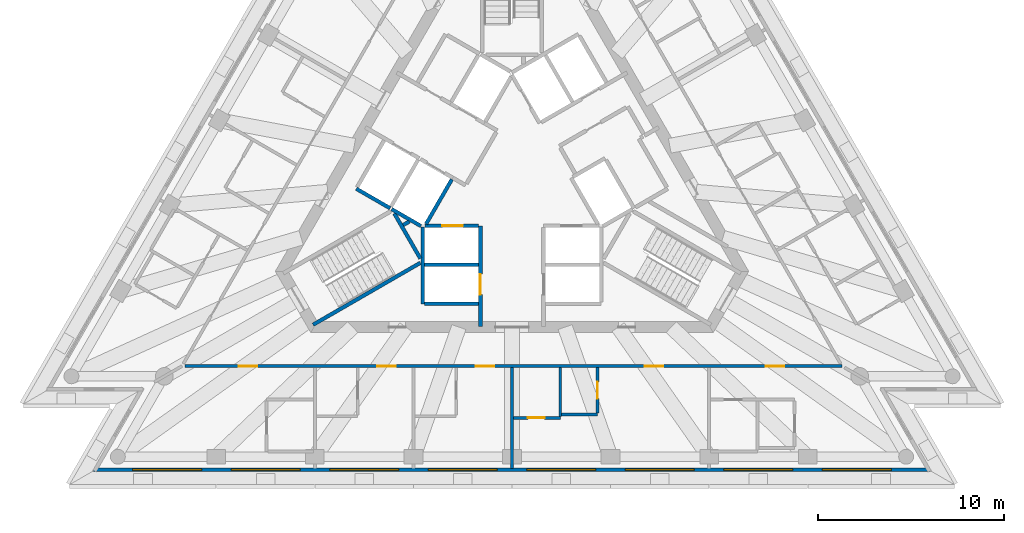
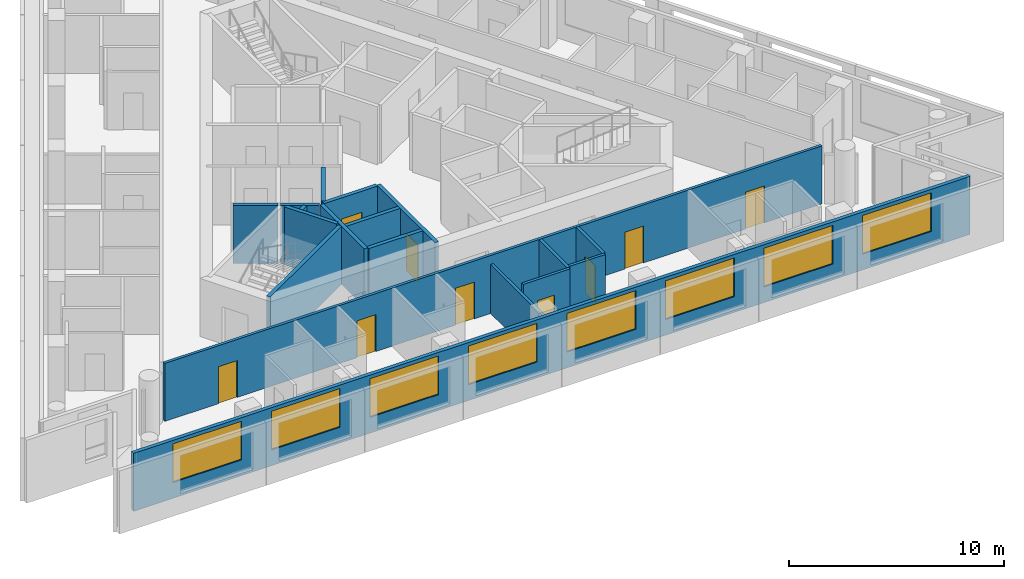
# One storey, part 3 of 11: 18 walls, 9 doors, 8 windows, 17 openings.
"""IFC4 building model written with IfcOpenShell, lengths in metres."""

from ifc_helpers import new_model, si_unit, direction, frame, frame_2d, origin, place, context, subcontext, project, spatial, rectangle, extrude, material, layer, layer_set, layer_usage, type_object, element, fill, save


model = new_model("IFC4")

# Units and contexts
model_context = context("Model", 3, precision=1e-05, world=origin(), true_north=direction((0.0, 1.0)))
body_context = subcontext(model_context, "Body", "Model", "MODEL_VIEW")
ifc_project = project(units=[si_unit("LENGTHUNIT", "METRE"), si_unit("AREAUNIT", "SQUARE_METRE"), si_unit("VOLUMEUNIT", "CUBIC_METRE"), si_unit("PLANEANGLEUNIT", "RADIAN"), si_unit("MASSUNIT", "GRAM", prefix="KILO")], contexts=[model_context])

# Site, building, storey
site_placement = place(None, origin())
site = spatial("IfcSite", under=ifc_project, at=site_placement, CompositionType="ELEMENT")
building_placement = place(site_placement, origin())
building = spatial("IfcBuilding", under=site, at=building_placement, Name="Triada Interchange Tower", CompositionType="ELEMENT")
storey_placement = place(building_placement, frame((0.0, 0.0, 307.89990234375)))
storey = spatial("IfcBuildingStorey", under=building, at=storey_placement, Name="L73", CompositionType="ELEMENT", Elevation=307.89990234375)

# Walls
ifc_material_1 = material(Name="Concrete C30/37", Category="concrete")
ifc_layer_1 = layer(ifc_material_1, 0.199951171875)
ifc_layer_set_1 = layer_set([ifc_layer_1], Name="CORE WALL 200 EI 120")
wall_type_1 = type_object("IfcWallType", Name="CORE WALL 200 EI 120", PredefinedType="SOLIDWALL", material=ifc_layer_set_1)
wall_1_placement = place(storey_placement, frame((-8.3759765625, -0.70703125, 0.0), z_axis=(0.0, 0.0, 1.0), x_axis=(0.866067520717, -0.499927044236, 0.0)))
element("IfcWall", 1, at=wall_1_placement, inside=storey, type_object=wall_type_1, Name="Wall L71 69", PredefinedType="SOLIDWALL", context=body_context, shape_type="SweptSolid", body=[
    extrude(rectangle(XDim=2.100341796875, YDim=0.199951171875, at=frame_2d((1.05029296875, 0.0))), origin(), (0.0, 0.0, 1.0), 3.300048828125),
])
wall_2_placement = place(storey_placement, frame((-4.699951171875, -4.800048828125, 0.0), z_axis=(0.0, 0.0, 1.0), x_axis=(1.0, 0.0, 0.0)))
element("IfcWall", 2, at=wall_2_placement, inside=storey, type_object=wall_type_1, Name="Wall L71 71", PredefinedType="SOLIDWALL", context=body_context, shape_type="SweptSolid", body=[
    extrude(rectangle(XDim=2.89990234375, YDim=0.199951171875, at=frame_2d((1.449951171875, 0.0))), origin(), (0.0, 0.0, 1.0), 3.300048828125),
])
wall_3_placement = place(storey_placement, frame((-4.800048828125, -6.89990234375, 0.0), z_axis=(0.0, 0.0, 1.0), x_axis=(0.0, 1.0, 0.0)))
element("IfcWall", 3, at=wall_3_placement, inside=storey, type_object=wall_type_1, Name="Wall L71 73", PredefinedType="SOLIDWALL", context=body_context, shape_type="SweptSolid", body=[
    extrude(rectangle(XDim=4.130859375, YDim=0.199951171875, at=frame_2d((2.0654296875, 0.0))), origin(), (0.0, 0.0, 1.0), 3.300048828125),
])
wall_4_placement = place(storey_placement, frame((-4.699951171875, -6.89990234375, 0.0), z_axis=(0.0, 0.0, 1.0), x_axis=(1.0, 0.0, 0.0)))
element("IfcWall", 4, at=wall_4_placement, inside=storey, type_object=wall_type_1, Name="Wall L71 74", PredefinedType="SOLIDWALL", context=body_context, shape_type="SweptSolid", body=[
    extrude(rectangle(XDim=2.89990234375, YDim=0.199951171875, at=frame_2d((1.449951171875, 0.0))), origin(), (0.0, 0.0, 1.0), 3.300048828125),
])

# Wall, opening, door
wall_5_placement = place(storey_placement, frame((-1.699951171875, -8.1298828125, 0.0), z_axis=(0.0, 0.0, 1.0), x_axis=(0.0, 1.0, 0.0)))
wall_5 = element("IfcWall", 5, at=wall_5_placement, inside=storey, type_object=wall_type_1, Name="Wall L71 76", PredefinedType="SOLIDWALL", context=body_context, shape_type="SweptSolid", body=[
    extrude(rectangle(XDim=5.427001953125, YDim=0.199951171875, at=frame_2d((2.71337890625, 0.0))), origin(), (0.0, 0.0, 1.0), 3.300048828125),
])
opening_1_placement = place(wall_5_placement, frame((1.72998046875, 0.0, 0.0)))
opening_1 = element("IfcOpeningElement", 6, at=opening_1_placement, cuts=wall_5, Name="Opening LD-HR4", PredefinedType="OPENING", context=body_context, shape_type="SweptSolid", body=[
    extrude(rectangle(XDim=1.10009765625, YDim=2.10009765625, at=frame_2d((0.550048828125, 1.050048828125))), frame((0.0, 0.10986328125, 0.0), z_axis=(0.0, -1.0, 0.0), x_axis=(1.0, 0.0, 0.0)), (0.0, 0.0, 1.0), 0.219970703125),
])
ifc_material_2 = material(Name="Steel S235 door leaf", Category="steel")
door_type_1 = type_object("IfcDoorType", Name="LIFT LANDING DOOR 1100 EI 120", OperationType="SLIDING_TO_LEFT", PredefinedType="DOOR", material=ifc_material_2)
door_1_placement = place(opening_1_placement, origin())
door_1 = element("IfcDoor", 7, at=door_1_placement, inside=storey, type_object=door_type_1, Name="HR4 landing door L73", OperationType="SLIDING_TO_LEFT", OverallHeight=2.10009765625, OverallWidth=1.10009765625, PredefinedType="DOOR", context=body_context, shape_type="SweptSolid", body=[
    extrude(rectangle(XDim=1.10009765625, YDim=2.10009765625, at=frame_2d((0.550048828125, 1.050048828125))), frame((0.0, 0.02490234375, 0.0), z_axis=(0.0, -1.0, 0.0), x_axis=(1.0, 0.0, 0.0)), (0.0, 0.0, 1.0), 0.050048828125),
])
fill(opening_1, door_1)

wall_6_placement = place(storey_placement, frame((-4.676025390625, -2.699951171875, 0.0), z_axis=(0.0, 0.0, 1.0), x_axis=(1.0, 0.0, 0.0)))
wall_6 = element("IfcWall", 8, at=wall_6_placement, inside=storey, type_object=wall_type_1, Name="Wall L71 77", PredefinedType="SOLIDWALL", context=body_context, shape_type="SweptSolid", body=[
    extrude(rectangle(XDim=2.873046875, YDim=0.199951171875, at=frame_2d((1.4365234375, 0.0))), origin(), (0.0, 0.0, 1.0), 3.300048828125),
])
opening_2_placement = place(wall_6_placement, frame((0.93701171875, 0.0, 0.0)))
opening_2 = element("IfcOpeningElement", 9, at=opening_2_placement, cuts=wall_6, Name="Opening LD-HR3", PredefinedType="OPENING", context=body_context, shape_type="SweptSolid", body=[
    extrude(rectangle(XDim=1.10009765625, YDim=2.10009765625, at=frame_2d((0.550048828125, 1.050048828125))), frame((0.0, 0.10986328125, 0.0), z_axis=(0.0, -1.0, 0.0), x_axis=(1.0, 0.0, 0.0)), (0.0, 0.0, 1.0), 0.219970703125),
])
door_2_placement = place(opening_2_placement, origin())
door_2 = element("IfcDoor", 10, at=door_2_placement, inside=storey, type_object=door_type_1, Name="HR3 landing door L73", OperationType="SLIDING_TO_LEFT", OverallHeight=2.10009765625, OverallWidth=1.10009765625, PredefinedType="DOOR", context=body_context, shape_type="SweptSolid", body=[
    extrude(rectangle(XDim=1.10009765625, YDim=2.10009765625, at=frame_2d((0.550048828125, 1.050048828125))), frame((0.0, 0.02490234375, 0.0), z_axis=(0.0, -1.0, 0.0), x_axis=(1.0, 0.0, 0.0)), (0.0, 0.0, 1.0), 0.050048828125),
])
fill(opening_2, door_2)

# Walls
ifc_layer_2 = layer(ifc_material_1, 0.199951171875)
ifc_layer_set_2 = layer_set([ifc_layer_2], Name="CORE WALL 200 EI 180")
wall_type_2 = type_object("IfcWallType", Name="CORE WALL 200 EI 180", PredefinedType="SOLIDWALL", material=ifc_layer_set_2)
wall_7_placement = place(storey_placement, frame((-6.469970703125, -1.806884765625, 0.0), z_axis=(0.0, 0.0, 1.0), x_axis=(0.865883195159, -0.500246231712, 0.0)))
element("IfcWall", 11, at=wall_7_placement, inside=storey, type_object=wall_type_2, Name="Shaft wall FF1 L71 102", PredefinedType="SOLIDWALL", context=body_context, shape_type="SweptSolid", body=[
    extrude(rectangle(XDim=1.8154296875, YDim=0.199951171875, at=frame_2d((0.90771484375, 0.0))), origin(), (0.0, 0.0, 1.0), 3.300048828125),
])
wall_8_placement = place(storey_placement, frame((-4.618896484375, -2.60009765625, 0.0), z_axis=(0.0, 0.0, 1.0), x_axis=(0.50009492287, 0.865970593103, 0.0)))
element("IfcWall", 12, at=wall_8_placement, inside=storey, type_object=wall_type_2, Name="Shaft wall FF1 L71 104", PredefinedType="SOLIDWALL", context=body_context, shape_type="SweptSolid", body=[
    extrude(rectangle(XDim=2.76123046875, YDim=0.199951171875, at=frame_2d((1.380615234375, 0.0))), origin(), (0.0, 0.0, 1.0), 3.300048828125),
])
ifc_layer_3 = layer(ifc_material_1, 0.199951171875)
ifc_layer_set_3 = layer_set([ifc_layer_3], Name="CORE WALL 200 EI 90")
wall_type_3 = type_object("IfcWallType", Name="CORE WALL 200 EI 90", PredefinedType="SOLIDWALL", material=ifc_layer_set_3)
wall_9_placement = place(storey_placement, frame((-5.85302734375, -2.662109375, 0.0), z_axis=(0.0, 0.0, 1.0), x_axis=(0.866630806644, 0.498949942355, 0.0)))
element("IfcWall", 13, at=wall_9_placement, inside=storey, type_object=wall_type_3, Name="Wall L71 109", PredefinedType="SOLIDWALL", context=body_context, shape_type="SweptSolid", body=[
    extrude(rectangle(XDim=0.383056640625, YDim=0.199951171875, at=frame_2d((0.19140625, 0.0))), origin(), (0.0, 0.0, 1.0), 3.300048828125),
])
ifc_layer_4 = layer(ifc_material_1, 0.199951171875)
ifc_layer_set_4 = layer_set([ifc_layer_4], Name="CORE WALL 200 REI 240")
wall_type_4 = type_object("IfcWallType", Name="CORE WALL 200 REI 240", PredefinedType="SOLIDWALL", material=ifc_layer_set_4)
wall_10_placement = place(storey_placement, frame((-6.3291015625, -2.0380859375, 0.0), z_axis=(0.0, 0.0, 1.0), x_axis=(0.500200581029, -0.865909567298, 0.0)))
element("IfcWall", 14, at=wall_10_placement, inside=storey, type_object=wall_type_4, Name="Wall L71 116", PredefinedType="SOLIDWALL", context=body_context, shape_type="SweptSolid", body=[
    extrude(rectangle(XDim=2.799072265625, YDim=0.199951171875, at=frame_2d((1.3994140625, 0.0))), origin(), (0.0, 0.0, 1.0), 3.300048828125),
])
wall_11_placement = place(storey_placement, frame((-10.700927734375, -8.02587890625, 0.0), z_axis=(0.0, 0.0, 1.0), x_axis=(0.866005022404, 0.500035299925, 0.0)))
element("IfcWall", 15, at=wall_11_placement, inside=storey, type_object=wall_type_4, Name="Wall L71 117", PredefinedType="SOLIDWALL", context=body_context, shape_type="SweptSolid", body=[
    extrude(rectangle(XDim=6.6650390625, YDim=0.199951171875, at=frame_2d((3.33251953125, 0.0))), origin(), (0.0, 0.0, 1.0), 3.300048828125),
])

# Wall, openings, windows
ifc_material_3 = material(Name="Cement board")
ifc_layer_5 = layer(ifc_material_3, 0.02001953125, Name="Cement board cladding")
ifc_material_4 = material(Name="Sheathing board")
ifc_layer_6 = layer(ifc_material_4, 0.014892578125, Name="Sheathing board")
ifc_material_5 = material(Name="Mineral wool")
ifc_layer_7 = layer(ifc_material_5, 0.14990234375, Name="Mineral wool between steel studs")
ifc_material_6 = material(Name="Gypsum board")
ifc_layer_8 = layer(ifc_material_6, 0.014892578125, Name="Plasterboard lining")
ifc_layer_set_5 = layer_set([ifc_layer_5, ifc_layer_6, ifc_layer_7, ifc_layer_8], Name="External wall 200")
ifc_layer_usage = layer_usage(ifc_layer_set_5, "AXIS2", "POSITIVE", -0.10009765625)
wall_type_5 = type_object("IfcWallType", Name="External wall 200", PredefinedType="ELEMENTEDWALL", material=ifc_layer_set_5)
wall_12_placement = place(storey_placement, frame((-22.507080078125, -15.826904296875, 0.0), z_axis=(0.0, 0.0, 1.0), x_axis=(1.0, 0.0, 0.0)))
wall_12 = element("IfcWall", 16, at=wall_12_placement, inside=storey, type_object=wall_type_5, material=ifc_layer_usage, Name="External wall L73 S", PredefinedType="ELEMENTEDWALL", context=body_context, shape_type="SweptSolid", body=[
    extrude(rectangle(XDim=44.994140625, YDim=0.199951171875, at=frame_2d((22.4970703125, 0.0))), origin(), (0.0, 0.0, 1.0), 3.300048828125),
])
opening_3_placement = place(wall_12_placement, frame((2.10400390625, 0.0, 0.89990234375)))
opening_3 = element("IfcOpeningElement", 17, at=opening_3_placement, cuts=wall_12, Name="Opening WD11", PredefinedType="OPENING", context=body_context, shape_type="SweptSolid", body=[
    extrude(rectangle(XDim=3.699951171875, YDim=2.199951171875, at=frame_2d((1.85009765625, 1.10009765625))), frame((0.0, 0.10986328125, 0.0), z_axis=(0.0, -1.0, 0.0), x_axis=(1.0, 0.0, 0.0)), (0.0, 0.0, 1.0), 0.219970703125),
])
opening_4_placement = place(wall_12_placement, frame((7.405029296875, 0.0, 0.89990234375)))
opening_4 = element("IfcOpeningElement", 18, at=opening_4_placement, cuts=wall_12, Name="Opening WD12", PredefinedType="OPENING", context=body_context, shape_type="SweptSolid", body=[
    extrude(rectangle(XDim=3.699951171875, YDim=2.199951171875, at=frame_2d((1.85009765625, 1.10009765625))), frame((0.0, 0.10986328125, 0.0), z_axis=(0.0, -1.0, 0.0), x_axis=(1.0, 0.0, 0.0)), (0.0, 0.0, 1.0), 0.219970703125),
])
opening_5_placement = place(wall_12_placement, frame((12.7060546875, 0.0, 0.89990234375)))
opening_5 = element("IfcOpeningElement", 19, at=opening_5_placement, cuts=wall_12, Name="Opening WD13", PredefinedType="OPENING", context=body_context, shape_type="SweptSolid", body=[
    extrude(rectangle(XDim=3.699951171875, YDim=2.199951171875, at=frame_2d((1.85009765625, 1.10009765625))), frame((0.0, 0.10986328125, 0.0), z_axis=(0.0, -1.0, 0.0), x_axis=(1.0, 0.0, 0.0)), (0.0, 0.0, 1.0), 0.219970703125),
])
opening_6_placement = place(wall_12_placement, frame((18.006103515625, 0.0, 0.89990234375)))
opening_6 = element("IfcOpeningElement", 20, at=opening_6_placement, cuts=wall_12, Name="Opening WD14", PredefinedType="OPENING", context=body_context, shape_type="SweptSolid", body=[
    extrude(rectangle(XDim=3.699951171875, YDim=2.199951171875, at=frame_2d((1.85009765625, 1.10009765625))), frame((0.0, 0.10986328125, 0.0), z_axis=(0.0, -1.0, 0.0), x_axis=(1.0, 0.0, 0.0)), (0.0, 0.0, 1.0), 0.219970703125),
])
opening_7_placement = place(wall_12_placement, frame((23.30810546875, 0.0, 0.89990234375)))
opening_7 = element("IfcOpeningElement", 21, at=opening_7_placement, cuts=wall_12, Name="Opening WD15", PredefinedType="OPENING", context=body_context, shape_type="SweptSolid", body=[
    extrude(rectangle(XDim=3.699951171875, YDim=2.199951171875, at=frame_2d((1.85009765625, 1.10009765625))), frame((0.0, 0.10986328125, 0.0), z_axis=(0.0, -1.0, 0.0), x_axis=(1.0, 0.0, 0.0)), (0.0, 0.0, 1.0), 0.219970703125),
])
opening_8_placement = place(wall_12_placement, frame((28.60791015625, 0.0, 0.89990234375)))
opening_8 = element("IfcOpeningElement", 22, at=opening_8_placement, cuts=wall_12, Name="Opening WD16", PredefinedType="OPENING", context=body_context, shape_type="SweptSolid", body=[
    extrude(rectangle(XDim=3.699951171875, YDim=2.199951171875, at=frame_2d((1.85009765625, 1.10009765625))), frame((0.0, 0.10986328125, 0.0), z_axis=(0.0, -1.0, 0.0), x_axis=(1.0, 0.0, 0.0)), (0.0, 0.0, 1.0), 0.219970703125),
])
opening_9_placement = place(wall_12_placement, frame((33.909912109375, 0.0, 0.89990234375)))
opening_9 = element("IfcOpeningElement", 23, at=opening_9_placement, cuts=wall_12, Name="Opening WD17", PredefinedType="OPENING", context=body_context, shape_type="SweptSolid", body=[
    extrude(rectangle(XDim=3.699951171875, YDim=2.199951171875, at=frame_2d((1.85009765625, 1.10009765625))), frame((0.0, 0.10986328125, 0.0), z_axis=(0.0, -1.0, 0.0), x_axis=(1.0, 0.0, 0.0)), (0.0, 0.0, 1.0), 0.219970703125),
])
opening_10_placement = place(wall_12_placement, frame((39.2099609375, 0.0, 0.89990234375)))
opening_10 = element("IfcOpeningElement", 24, at=opening_10_placement, cuts=wall_12, Name="Opening WD18", PredefinedType="OPENING", context=body_context, shape_type="SweptSolid", body=[
    extrude(rectangle(XDim=3.699951171875, YDim=2.199951171875, at=frame_2d((1.85009765625, 1.10009765625))), frame((0.0, 0.10986328125, 0.0), z_axis=(0.0, -1.0, 0.0), x_axis=(1.0, 0.0, 0.0)), (0.0, 0.0, 1.0), 0.219970703125),
])
ifc_material_7 = material(Name="Double glazed aluminium window", Category="aluminium")
window_type = type_object("IfcWindowType", Name="Ribbon window D face", PartitioningType="SINGLE_PANEL", PredefinedType="WINDOW", material=ifc_material_7)
window_1_placement = place(opening_3_placement, origin())
window_1 = element("IfcWindow", 25, at=window_1_placement, inside=storey, type_object=window_type, Name="Window L73 S 1", OverallHeight=2.199951171875, OverallWidth=3.699951171875, PartitioningType="SINGLE_PANEL", PredefinedType="WINDOW", context=body_context, shape_type="SweptSolid", body=[
    extrude(rectangle(XDim=3.699951171875, YDim=2.199951171875, at=frame_2d((1.85009765625, 1.10009765625))), frame((0.0, 0.030029296875, 0.0), z_axis=(0.0, -1.0, 0.0), x_axis=(1.0, 0.0, 0.0)), (0.0, 0.0, 1.0), 0.06005859375),
])
fill(opening_3, window_1)
window_2_placement = place(opening_4_placement, origin())
window_2 = element("IfcWindow", 26, at=window_2_placement, inside=storey, type_object=window_type, Name="Window L73 S 2", OverallHeight=2.199951171875, OverallWidth=3.699951171875, PartitioningType="SINGLE_PANEL", PredefinedType="WINDOW", context=body_context, shape_type="SweptSolid", body=[
    extrude(rectangle(XDim=3.699951171875, YDim=2.199951171875, at=frame_2d((1.85009765625, 1.10009765625))), frame((0.0, 0.030029296875, 0.0), z_axis=(0.0, -1.0, 0.0), x_axis=(1.0, 0.0, 0.0)), (0.0, 0.0, 1.0), 0.06005859375),
])
fill(opening_4, window_2)
window_3_placement = place(opening_5_placement, origin())
window_3 = element("IfcWindow", 27, at=window_3_placement, inside=storey, type_object=window_type, Name="Window L73 S 3", OverallHeight=2.199951171875, OverallWidth=3.699951171875, PartitioningType="SINGLE_PANEL", PredefinedType="WINDOW", context=body_context, shape_type="SweptSolid", body=[
    extrude(rectangle(XDim=3.699951171875, YDim=2.199951171875, at=frame_2d((1.85009765625, 1.10009765625))), frame((0.0, 0.030029296875, 0.0), z_axis=(0.0, -1.0, 0.0), x_axis=(1.0, 0.0, 0.0)), (0.0, 0.0, 1.0), 0.06005859375),
])
fill(opening_5, window_3)
window_4_placement = place(opening_6_placement, origin())
window_4 = element("IfcWindow", 28, at=window_4_placement, inside=storey, type_object=window_type, Name="Window L73 S 4", OverallHeight=2.199951171875, OverallWidth=3.699951171875, PartitioningType="SINGLE_PANEL", PredefinedType="WINDOW", context=body_context, shape_type="SweptSolid", body=[
    extrude(rectangle(XDim=3.699951171875, YDim=2.199951171875, at=frame_2d((1.85009765625, 1.10009765625))), frame((0.0, 0.030029296875, 0.0), z_axis=(0.0, -1.0, 0.0), x_axis=(1.0, 0.0, 0.0)), (0.0, 0.0, 1.0), 0.06005859375),
])
fill(opening_6, window_4)
window_5_placement = place(opening_7_placement, origin())
window_5 = element("IfcWindow", 29, at=window_5_placement, inside=storey, type_object=window_type, Name="Window L73 S 5", OverallHeight=2.199951171875, OverallWidth=3.699951171875, PartitioningType="SINGLE_PANEL", PredefinedType="WINDOW", context=body_context, shape_type="SweptSolid", body=[
    extrude(rectangle(XDim=3.699951171875, YDim=2.199951171875, at=frame_2d((1.85009765625, 1.10009765625))), frame((0.0, 0.030029296875, 0.0), z_axis=(0.0, -1.0, 0.0), x_axis=(1.0, 0.0, 0.0)), (0.0, 0.0, 1.0), 0.06005859375),
])
fill(opening_7, window_5)
window_6_placement = place(opening_8_placement, origin())
window_6 = element("IfcWindow", 30, at=window_6_placement, inside=storey, type_object=window_type, Name="Window L73 S 6", OverallHeight=2.199951171875, OverallWidth=3.699951171875, PartitioningType="SINGLE_PANEL", PredefinedType="WINDOW", context=body_context, shape_type="SweptSolid", body=[
    extrude(rectangle(XDim=3.699951171875, YDim=2.199951171875, at=frame_2d((1.85009765625, 1.10009765625))), frame((0.0, 0.030029296875, 0.0), z_axis=(0.0, -1.0, 0.0), x_axis=(1.0, 0.0, 0.0)), (0.0, 0.0, 1.0), 0.06005859375),
])
fill(opening_8, window_6)
window_7_placement = place(opening_9_placement, origin())
window_7 = element("IfcWindow", 31, at=window_7_placement, inside=storey, type_object=window_type, Name="Window L73 S 7", OverallHeight=2.199951171875, OverallWidth=3.699951171875, PartitioningType="SINGLE_PANEL", PredefinedType="WINDOW", context=body_context, shape_type="SweptSolid", body=[
    extrude(rectangle(XDim=3.699951171875, YDim=2.199951171875, at=frame_2d((1.85009765625, 1.10009765625))), frame((0.0, 0.030029296875, 0.0), z_axis=(0.0, -1.0, 0.0), x_axis=(1.0, 0.0, 0.0)), (0.0, 0.0, 1.0), 0.06005859375),
])
fill(opening_9, window_7)
window_8_placement = place(opening_10_placement, origin())
window_8 = element("IfcWindow", 32, at=window_8_placement, inside=storey, type_object=window_type, Name="Window L73 S 8", OverallHeight=2.199951171875, OverallWidth=3.699951171875, PartitioningType="SINGLE_PANEL", PredefinedType="WINDOW", context=body_context, shape_type="SweptSolid", body=[
    extrude(rectangle(XDim=3.699951171875, YDim=2.199951171875, at=frame_2d((1.85009765625, 1.10009765625))), frame((0.0, 0.030029296875, 0.0), z_axis=(0.0, -1.0, 0.0), x_axis=(1.0, 0.0, 0.0)), (0.0, 0.0, 1.0), 0.06005859375),
])
fill(opening_10, window_8)

# Wall, openings, doors
ifc_material_8 = material(Name="Gypsum board partition")
ifc_layer_9 = layer(ifc_material_8, 0.14990234375)
ifc_layer_set_6 = layer_set([ifc_layer_9], Name="PARTITION 150 EI 180")
wall_type_6 = type_object("IfcWallType", Name="PARTITION 150 EI 180", PredefinedType="PARTITIONING", material=ifc_layer_set_6)
wall_13_placement = place(storey_placement, frame((-17.60302734375, -10.25, 0.0), z_axis=(0.0, 0.0, 1.0), x_axis=(1.0, 0.0, 0.0)))
wall_13 = element("IfcWall", 33, at=wall_13_placement, inside=storey, type_object=wall_type_6, Name="Wall L71 4", PredefinedType="PARTITIONING", context=body_context, shape_type="SweptSolid", body=[
    extrude(rectangle(XDim=35.35595703125, YDim=0.14990234375, at=frame_2d((17.677978515625, 0.0))), origin(), (0.0, 0.0, 1.0), 3.300048828125),
])
opening_11_placement = place(wall_13_placement, frame((2.89990234375, 0.0, 0.0)))
opening_11 = element("IfcOpeningElement", 34, at=opening_11_placement, cuts=wall_13, Name="Opening D71-11", PredefinedType="OPENING", context=body_context, shape_type="SweptSolid", body=[
    extrude(rectangle(XDim=1.0, YDim=2.10009765625, at=frame_2d((0.5, 1.050048828125))), frame((0.0, 0.0849609375, 0.0), z_axis=(0.0, -1.0, 0.0), x_axis=(1.0, 0.0, 0.0)), (0.0, 0.0, 1.0), 0.169921875),
])
opening_12_placement = place(wall_13_placement, frame((10.35107421875, 0.0, 0.0)))
opening_12 = element("IfcOpeningElement", 35, at=opening_12_placement, cuts=wall_13, Name="Opening D71-13", PredefinedType="OPENING", context=body_context, shape_type="SweptSolid", body=[
    extrude(rectangle(XDim=1.0, YDim=2.10009765625, at=frame_2d((0.5, 1.050048828125))), frame((0.0, 0.0849609375, 0.0), z_axis=(0.0, -1.0, 0.0), x_axis=(1.0, 0.0, 0.0)), (0.0, 0.0, 1.0), 0.169921875),
])
opening_13_placement = place(wall_13_placement, frame((15.652099609375, 0.0, 0.0)))
opening_13 = element("IfcOpeningElement", 36, at=opening_13_placement, cuts=wall_13, Name="Opening D71-15", PredefinedType="OPENING", context=body_context, shape_type="SweptSolid", body=[
    extrude(rectangle(XDim=1.0, YDim=2.10009765625, at=frame_2d((0.5, 1.050048828125))), frame((0.0, 0.0849609375, 0.0), z_axis=(0.0, -1.0, 0.0), x_axis=(1.0, 0.0, 0.0)), (0.0, 0.0, 1.0), 0.169921875),
])
opening_14_placement = place(wall_13_placement, frame((24.7529296875, 0.0, 0.0)))
opening_14 = element("IfcOpeningElement", 37, at=opening_14_placement, cuts=wall_13, Name="Opening D71-17", PredefinedType="OPENING", context=body_context, shape_type="SweptSolid", body=[
    extrude(rectangle(XDim=1.0, YDim=2.10009765625, at=frame_2d((0.5, 1.050048828125))), frame((0.0, 0.0849609375, 0.0), z_axis=(0.0, -1.0, 0.0), x_axis=(1.0, 0.0, 0.0)), (0.0, 0.0, 1.0), 0.169921875),
])
opening_15_placement = place(wall_13_placement, frame((31.2548828125, 0.0, 0.0)))
opening_15 = element("IfcOpeningElement", 38, at=opening_15_placement, cuts=wall_13, Name="Opening D71-20", PredefinedType="OPENING", context=body_context, shape_type="SweptSolid", body=[
    extrude(rectangle(XDim=1.0, YDim=2.10009765625, at=frame_2d((0.5, 1.050048828125))), frame((0.0, 0.0849609375, 0.0), z_axis=(0.0, -1.0, 0.0), x_axis=(1.0, 0.0, 0.0)), (0.0, 0.0, 1.0), 0.169921875),
])
door_type_2 = type_object("IfcDoorType", Name="GUEST ROOM DOOR 1000 EI2 90-C5S200", OperationType="NOTDEFINED", PredefinedType="DOOR", material=ifc_material_2)
door_3_placement = place(opening_11_placement, origin())
door_3 = element("IfcDoor", 39, at=door_3_placement, inside=storey, type_object=door_type_2, Name="Door D71-11 L73", OperationType="SINGLE_SWING_RIGHT", OverallHeight=2.10009765625, OverallWidth=1.0, PredefinedType="DOOR", context=body_context, shape_type="SweptSolid", body=[
    extrude(rectangle(XDim=1.0, YDim=2.10009765625, at=frame_2d((0.5, 1.050048828125))), frame((0.0, 0.02490234375, 0.0), z_axis=(0.0, -1.0, 0.0), x_axis=(1.0, 0.0, 0.0)), (0.0, 0.0, 1.0), 0.050048828125),
])
fill(opening_11, door_3)
door_4_placement = place(opening_12_placement, origin())
door_4 = element("IfcDoor", 40, at=door_4_placement, inside=storey, type_object=door_type_2, Name="Door D71-13 L73", OperationType="SINGLE_SWING_RIGHT", OverallHeight=2.10009765625, OverallWidth=1.0, PredefinedType="DOOR", context=body_context, shape_type="SweptSolid", body=[
    extrude(rectangle(XDim=1.0, YDim=2.10009765625, at=frame_2d((0.5, 1.050048828125))), frame((0.0, 0.02490234375, 0.0), z_axis=(0.0, -1.0, 0.0), x_axis=(1.0, 0.0, 0.0)), (0.0, 0.0, 1.0), 0.050048828125),
])
fill(opening_12, door_4)
door_5_placement = place(opening_13_placement, origin())
door_5 = element("IfcDoor", 41, at=door_5_placement, inside=storey, type_object=door_type_2, Name="Door D71-15 L73", OperationType="SINGLE_SWING_RIGHT", OverallHeight=2.10009765625, OverallWidth=1.0, PredefinedType="DOOR", context=body_context, shape_type="SweptSolid", body=[
    extrude(rectangle(XDim=1.0, YDim=2.10009765625, at=frame_2d((0.5, 1.050048828125))), frame((0.0, 0.02490234375, 0.0), z_axis=(0.0, -1.0, 0.0), x_axis=(1.0, 0.0, 0.0)), (0.0, 0.0, 1.0), 0.050048828125),
])
fill(opening_13, door_5)
door_6_placement = place(opening_14_placement, origin())
door_6 = element("IfcDoor", 42, at=door_6_placement, inside=storey, type_object=door_type_2, Name="Door D71-17 L73", OperationType="SINGLE_SWING_RIGHT", OverallHeight=2.10009765625, OverallWidth=1.0, PredefinedType="DOOR", context=body_context, shape_type="SweptSolid", body=[
    extrude(rectangle(XDim=1.0, YDim=2.10009765625, at=frame_2d((0.5, 1.050048828125))), frame((0.0, 0.02490234375, 0.0), z_axis=(0.0, -1.0, 0.0), x_axis=(1.0, 0.0, 0.0)), (0.0, 0.0, 1.0), 0.050048828125),
])
fill(opening_14, door_6)
door_7_placement = place(opening_15_placement, origin())
door_7 = element("IfcDoor", 43, at=door_7_placement, inside=storey, type_object=door_type_2, Name="Door D71-20 L73", OperationType="SINGLE_SWING_LEFT", OverallHeight=2.10009765625, OverallWidth=1.0, PredefinedType="DOOR", context=body_context, shape_type="SweptSolid", body=[
    extrude(rectangle(XDim=1.0, YDim=2.10009765625, at=frame_2d((0.5, 1.050048828125))), frame((0.0, 0.02490234375, 0.0), z_axis=(0.0, -1.0, 0.0), x_axis=(1.0, 0.0, 0.0)), (0.0, 0.0, 1.0), 0.050048828125),
])
fill(opening_15, door_7)

# Wall
wall_14_placement = place(storey_placement, frame((0.0, -15.7470703125, 0.0), z_axis=(0.0, 0.0, 1.0), x_axis=(0.0, 1.0, 0.0)))
element("IfcWall", 44, at=wall_14_placement, inside=storey, type_object=wall_type_6, Name="Wall L71 12", PredefinedType="PARTITIONING", context=body_context, shape_type="SweptSolid", body=[
    extrude(rectangle(XDim=5.422119140625, YDim=0.14990234375, at=frame_2d((2.7109375, 0.0))), origin(), (0.0, 0.0, 1.0), 2.800048828125),
])

# Wall, opening, door
ifc_layer_10 = layer(ifc_material_8, 0.14990234375)
ifc_layer_set_7 = layer_set([ifc_layer_10], Name="PARTITION 150 EI 90")
wall_type_7 = type_object("IfcWallType", Name="PARTITION 150 EI 90", PredefinedType="PARTITIONING", material=ifc_layer_set_7)
wall_15_placement = place(storey_placement, frame((0.074951171875, -13.0380859375, 0.0), z_axis=(0.0, 0.0, 1.0), x_axis=(1.0, 0.0, 0.0)))
wall_15 = element("IfcWall", 45, at=wall_15_placement, inside=storey, type_object=wall_type_7, Name="Wall L71 53", PredefinedType="PARTITIONING", context=body_context, shape_type="SweptSolid", body=[
    extrude(rectangle(XDim=2.525146484375, YDim=0.14990234375, at=frame_2d((1.2626953125, 0.0))), origin(), (0.0, 0.0, 1.0), 3.300048828125),
])
opening_16_placement = place(wall_15_placement, frame((0.77490234375, 0.0, 0.0)))
opening_16 = element("IfcOpeningElement", 46, at=opening_16_placement, cuts=wall_15, Name="Opening D71-18", PredefinedType="OPENING", context=body_context, shape_type="SweptSolid", body=[
    extrude(rectangle(XDim=0.89990234375, YDim=2.10009765625, at=frame_2d((0.449951171875, 1.050048828125))), frame((0.0, 0.0849609375, 0.0), z_axis=(0.0, -1.0, 0.0), x_axis=(1.0, 0.0, 0.0)), (0.0, 0.0, 1.0), 0.169921875),
])
door_type_3 = type_object("IfcDoorType", Name="ROOM DOOR 900 EI2 45-C5S200", OperationType="NOTDEFINED", PredefinedType="DOOR", material=ifc_material_2)
door_8_placement = place(opening_16_placement, origin())
door_8 = element("IfcDoor", 47, at=door_8_placement, inside=storey, type_object=door_type_3, Name="Door D71-18 L73", OperationType="SINGLE_SWING_LEFT", OverallHeight=2.10009765625, OverallWidth=0.89990234375, PredefinedType="DOOR", context=body_context, shape_type="SweptSolid", body=[
    extrude(rectangle(XDim=0.89990234375, YDim=2.10009765625, at=frame_2d((0.449951171875, 1.050048828125))), frame((0.0, 0.02490234375, 0.0), z_axis=(0.0, -1.0, 0.0), x_axis=(1.0, 0.0, 0.0)), (0.0, 0.0, 1.0), 0.050048828125),
])
fill(opening_16, door_8)

# Walls
wall_16_placement = place(storey_placement, frame((2.60009765625, -12.964111328125, 0.0), z_axis=(0.0, 0.0, 1.0), x_axis=(0.0, 1.0, 0.0)))
element("IfcWall", 48, at=wall_16_placement, inside=storey, type_object=wall_type_7, Name="Wall L71 54", PredefinedType="PARTITIONING", context=body_context, shape_type="SweptSolid", body=[
    extrude(rectangle(XDim=2.63916015625, YDim=0.14990234375, at=frame_2d((1.319580078125, 0.0))), origin(), (0.0, 0.0, 1.0), 3.300048828125),
])
wall_17_placement = place(storey_placement, frame((2.675048828125, -12.85009765625, 0.0), z_axis=(0.0, 0.0, 1.0), x_axis=(1.0, 0.0, 0.0)))
element("IfcWall", 49, at=wall_17_placement, inside=storey, type_object=wall_type_7, Name="Wall L71 55", PredefinedType="PARTITIONING", context=body_context, shape_type="SweptSolid", body=[
    extrude(rectangle(XDim=1.925048828125, YDim=0.14990234375, at=frame_2d((0.96240234375, 0.0))), origin(), (0.0, 0.0, 1.0), 3.300048828125),
])

# Wall, opening, door
wall_18_placement = place(storey_placement, frame((4.60009765625, -12.77490234375, 0.0), z_axis=(0.0, 0.0, 1.0), x_axis=(0.0, 1.0, 0.0)))
wall_18 = element("IfcWall", 50, at=wall_18_placement, inside=storey, type_object=wall_type_7, Name="Wall L71 56", PredefinedType="PARTITIONING", context=body_context, shape_type="SweptSolid", body=[
    extrude(rectangle(XDim=2.449951171875, YDim=0.14990234375, at=frame_2d((1.22509765625, 0.0))), origin(), (0.0, 0.0, 1.0), 3.300048828125),
])
opening_17_placement = place(wall_18_placement, frame((0.77490234375, 0.0, 0.0)))
opening_17 = element("IfcOpeningElement", 51, at=opening_17_placement, cuts=wall_18, Name="Opening D71-19", PredefinedType="OPENING", context=body_context, shape_type="SweptSolid", body=[
    extrude(rectangle(XDim=0.89990234375, YDim=2.10009765625, at=frame_2d((0.449951171875, 1.050048828125))), frame((0.0, 0.0849609375, 0.0), z_axis=(0.0, -1.0, 0.0), x_axis=(1.0, 0.0, 0.0)), (0.0, 0.0, 1.0), 0.169921875),
])
door_type_4 = type_object("IfcDoorType", Name="SERVICE DOOR 900 EI2 45-C5S200", OperationType="NOTDEFINED", PredefinedType="DOOR", material=ifc_material_2)
door_9_placement = place(opening_17_placement, origin())
door_9 = element("IfcDoor", 52, at=door_9_placement, inside=storey, type_object=door_type_4, Name="Door D71-19 L73", OperationType="SINGLE_SWING_RIGHT", OverallHeight=2.10009765625, OverallWidth=0.89990234375, PredefinedType="DOOR", context=body_context, shape_type="SweptSolid", body=[
    extrude(rectangle(XDim=0.89990234375, YDim=2.10009765625, at=frame_2d((0.449951171875, 1.050048828125))), frame((0.0, 0.02490234375, 0.0), z_axis=(0.0, -1.0, 0.0), x_axis=(1.0, 0.0, 0.0)), (0.0, 0.0, 1.0), 0.050048828125),
])
fill(opening_17, door_9)

save(model, "model.ifc")
